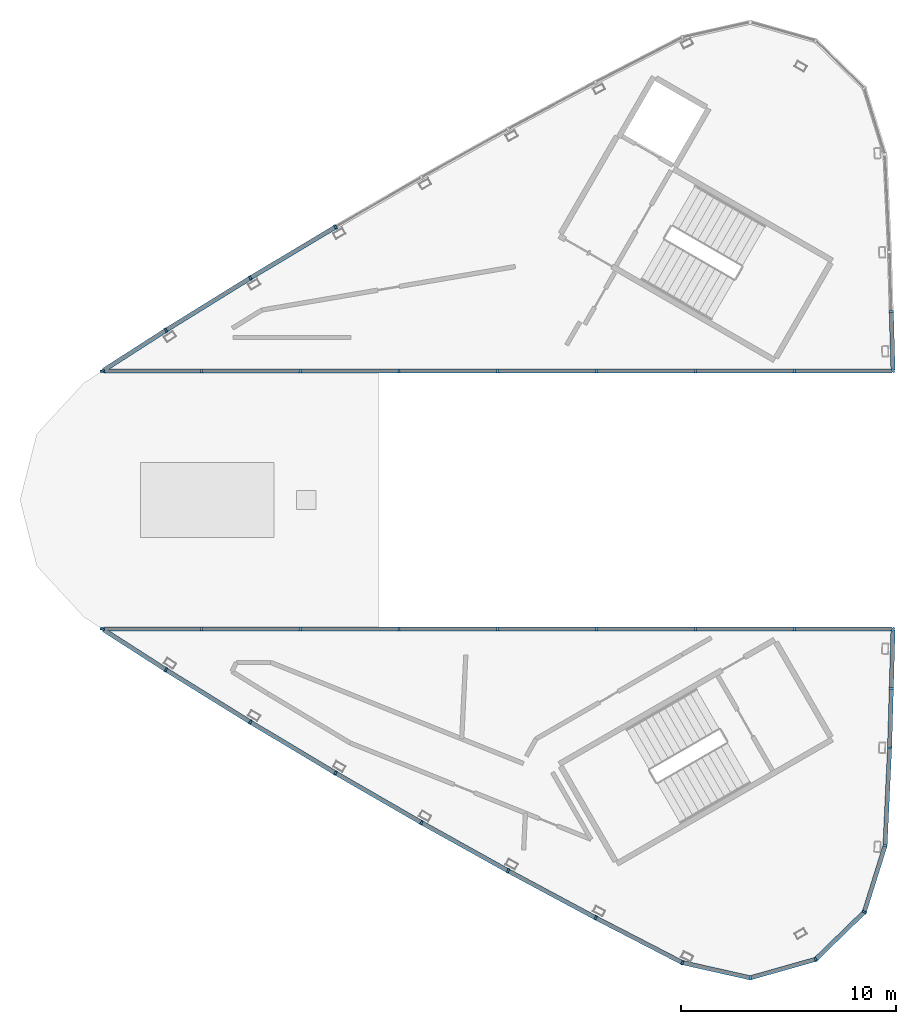
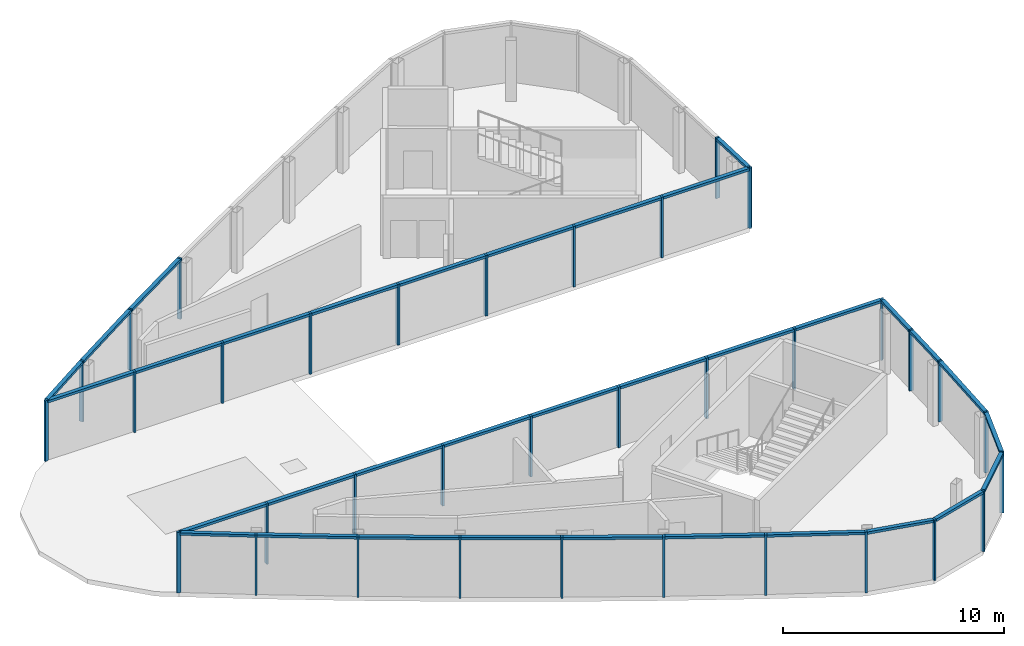
# One storey, part 2 of 6: 59 members, 2 elements without a shape of their own.
"""IFC4 building model written with IfcOpenShell, lengths in metres."""

from ifc_helpers import new_model, si_unit, direction, frame, origin, origin_2d, place, context, subcontext, project, spatial, rectangle, extrude, material, material_profile, profile_set, type_object, element, aggregate, save


model = new_model("IFC4")

# Units and contexts
model_context = context("Model", 3, precision=1e-05, world=origin(), true_north=direction((0.0, 1.0)))
body_context = subcontext(model_context, "Body", "Model", "MODEL_VIEW")
ifc_project = project(units=[si_unit("LENGTHUNIT", "METRE"), si_unit("AREAUNIT", "SQUARE_METRE"), si_unit("VOLUMEUNIT", "CUBIC_METRE"), si_unit("PLANEANGLEUNIT", "RADIAN"), si_unit("MASSUNIT", "GRAM", prefix="KILO")], contexts=[model_context])

# Site, building, storey
site_placement = place(None, origin())
site = spatial("IfcSite", under=ifc_project, at=site_placement, CompositionType="ELEMENT")
building_placement = place(site_placement, origin())
building = spatial("IfcBuilding", under=site, at=building_placement, Name="Tamra Quay Hotel Tower", CompositionType="ELEMENT")
storey_placement = place(building_placement, frame((0.0, 0.0, 331.39990234375)))
storey = spatial("IfcBuildingStorey", under=building, at=storey_placement, Name="Roof crown 4", CompositionType="ELEMENT", Elevation=331.39990234375)

# Curtain wall, members
ifc_material = material(Name="Aluminium 6063 anodised dark grey", Category="aluminium")
curtain_wall_type = type_object("IfcCurtainWallType", Name="CW6 CURTAIN WALL", PredefinedType="NOTDEFINED", material=ifc_material)
curtain_wall_1_placement = place(storey_placement, origin())
curtain_wall_1 = element("IfcCurtainWall", 1, at=curtain_wall_1_placement, inside=storey, type_object=curtain_wall_type, Name="CW6 lantern A face Roof crown 4", PredefinedType="NOTDEFINED")
ifc_material_profile_1 = material_profile(ifc_material, rectangle(XDim=0.199951171875, YDim=0.10009765625, at=origin_2d()), Name="MULLION 100X200")
ifc_profile_set_1 = profile_set([ifc_material_profile_1], Name="Aluminium 6063 anodised dark grey")
member_type_1 = type_object("IfcMemberType", Name="MULLION CW6", PredefinedType="MULLION", material=ifc_profile_set_1)
member_1_placement = place(storey_placement, frame((-9.989501953125, 12.689453125, 0.0), z_axis=(0.0, 0.0, 1.0), x_axis=(-0.506753731218, 0.862090862901, 0.0)))
member_1 = element("IfcMember", 2, at=member_1_placement, type_object=member_type_1, Name="CW6 mullion Roof crown 4.A.10", PredefinedType="MULLION", context=body_context, shape_type="SweptSolid", body=[
    extrude(rectangle(XDim=0.199951171875, YDim=0.10009765625, at=origin_2d()), origin(), (0.0, 0.0, 1.0), 3.35009765625),
])
member_2_placement = place(storey_placement, frame((-13.947509765625, 10.321044921875, 0.0), z_axis=(0.0, 0.0, 1.0), x_axis=(-0.520160185397, 0.854068721783, 0.0)))
member_2 = element("IfcMember", 3, at=member_2_placement, type_object=member_type_1, Name="CW6 mullion Roof crown 4.A.11", PredefinedType="MULLION", context=body_context, shape_type="SweptSolid", body=[
    extrude(rectangle(XDim=0.199951171875, YDim=0.10009765625, at=origin_2d()), origin(), (0.0, 0.0, 1.0), 3.35009765625),
])
member_3_placement = place(storey_placement, frame((-17.867919921875, 7.89111328125, 0.0), z_axis=(0.0, 0.0, 1.0), x_axis=(-0.533422330848, 0.845849050926, 0.0)))
member_3 = element("IfcMember", 4, at=member_3_placement, type_object=member_type_1, Name="CW6 mullion Roof crown 4.A.12", PredefinedType="MULLION", context=body_context, shape_type="SweptSolid", body=[
    extrude(rectangle(XDim=0.199951171875, YDim=0.10009765625, at=origin_2d()), origin(), (0.0, 0.0, 1.0), 3.35009765625),
])
member_4_placement = place(storey_placement, frame((-20.815673828125, 6.0, 0.0), z_axis=(0.0, 0.0, 1.0), x_axis=(-0.959600167912, -0.281367229333, 0.0)))
member_4 = element("IfcMember", 5, at=member_4_placement, type_object=member_type_1, Name="CW6 mullion Roof crown 4.A.13", PredefinedType="MULLION", context=body_context, shape_type="SweptSolid", body=[
    extrude(rectangle(XDim=0.199951171875, YDim=0.10009765625, at=origin_2d()), origin(), (0.0, 0.0, 1.0), 3.35009765625),
])
member_5_placement = place(storey_placement, frame((-16.222900390625, 6.0, 0.0), z_axis=(0.0, 0.0, 1.0), x_axis=(0.0, -1.0, 0.0)))
member_5 = element("IfcMember", 6, at=member_5_placement, type_object=member_type_1, Name="CW6 mullion Roof crown 4.A.14", PredefinedType="MULLION", context=body_context, shape_type="SweptSolid", body=[
    extrude(rectangle(XDim=0.199951171875, YDim=0.10009765625, at=origin_2d()), origin(), (0.0, 0.0, 1.0), 3.35009765625),
])
member_6_placement = place(storey_placement, frame((-11.630126953125, 6.0, 0.0), z_axis=(0.0, 0.0, 1.0), x_axis=(0.0, -1.0, 0.0)))
member_6 = element("IfcMember", 7, at=member_6_placement, type_object=member_type_1, Name="CW6 mullion Roof crown 4.A.15", PredefinedType="MULLION", context=body_context, shape_type="SweptSolid", body=[
    extrude(rectangle(XDim=0.199951171875, YDim=0.10009765625, at=origin_2d()), origin(), (0.0, 0.0, 1.0), 3.35009765625),
])
member_7_placement = place(storey_placement, frame((-7.037353515625, 6.0, 0.0), z_axis=(0.0, 0.0, 1.0), x_axis=(0.0, -1.0, 0.0)))
member_7 = element("IfcMember", 8, at=member_7_placement, type_object=member_type_1, Name="CW6 mullion Roof crown 4.A.16", PredefinedType="MULLION", context=body_context, shape_type="SweptSolid", body=[
    extrude(rectangle(XDim=0.199951171875, YDim=0.10009765625, at=origin_2d()), origin(), (0.0, 0.0, 1.0), 3.35009765625),
])
member_8_placement = place(storey_placement, frame((-2.444580078125, 6.0, 0.0), z_axis=(0.0, 0.0, 1.0), x_axis=(0.0, -1.0, 0.0)))
member_8 = element("IfcMember", 9, at=member_8_placement, type_object=member_type_1, Name="CW6 mullion Roof crown 4.A.17", PredefinedType="MULLION", context=body_context, shape_type="SweptSolid", body=[
    extrude(rectangle(XDim=0.199951171875, YDim=0.10009765625, at=origin_2d()), origin(), (0.0, 0.0, 1.0), 3.35009765625),
])
member_9_placement = place(storey_placement, frame((2.148193359375, 6.0, 0.0), z_axis=(0.0, 0.0, 1.0), x_axis=(0.0, -1.0, 0.0)))
member_9 = element("IfcMember", 10, at=member_9_placement, type_object=member_type_1, Name="CW6 mullion Roof crown 4.A.18", PredefinedType="MULLION", context=body_context, shape_type="SweptSolid", body=[
    extrude(rectangle(XDim=0.199951171875, YDim=0.10009765625, at=origin_2d()), origin(), (0.0, 0.0, 1.0), 3.35009765625),
])
member_10_placement = place(storey_placement, frame((6.740966796875, 6.0, 0.0), z_axis=(0.0, 0.0, 1.0), x_axis=(0.0, -1.0, 0.0)))
member_10 = element("IfcMember", 11, at=member_10_placement, type_object=member_type_1, Name="CW6 mullion Roof crown 4.A.19", PredefinedType="MULLION", context=body_context, shape_type="SweptSolid", body=[
    extrude(rectangle(XDim=0.199951171875, YDim=0.10009765625, at=origin_2d()), origin(), (0.0, 0.0, 1.0), 3.35009765625),
])
member_11_placement = place(storey_placement, frame((11.333740234375, 6.0, 0.0), z_axis=(0.0, 0.0, 1.0), x_axis=(0.0, -1.0, 0.0)))
member_11 = element("IfcMember", 12, at=member_11_placement, type_object=member_type_1, Name="CW6 mullion Roof crown 4.A.20", PredefinedType="MULLION", context=body_context, shape_type="SweptSolid", body=[
    extrude(rectangle(XDim=0.199951171875, YDim=0.10009765625, at=origin_2d()), origin(), (0.0, 0.0, 1.0), 3.35009765625),
])
member_12_placement = place(storey_placement, frame((15.92626953125, 6.0, 0.0), z_axis=(0.0, 0.0, 1.0), x_axis=(0.717164497017, -0.696903927538, 0.0)))
member_12 = element("IfcMember", 13, at=member_12_placement, type_object=member_type_1, Name="CW6 mullion Roof crown 4.A.21", PredefinedType="MULLION", context=body_context, shape_type="SweptSolid", body=[
    extrude(rectangle(XDim=0.199951171875, YDim=0.10009765625, at=origin_2d()), origin(), (0.0, 0.0, 1.0), 3.35009765625),
])
member_13_placement = place(storey_placement, frame((15.84716796875, 8.76416015625, 0.0), z_axis=(0.0, 0.0, 1.0), x_axis=(0.999589509324, 0.028649831581, 0.0)))
member_13 = element("IfcMember", 14, at=member_13_placement, type_object=member_type_1, Name="CW6 mullion Roof crown 4.A.22", PredefinedType="MULLION", context=body_context, shape_type="SweptSolid", body=[
    extrude(rectangle(XDim=0.199951171875, YDim=0.10009765625, at=origin_2d()), origin(), (0.0, 0.0, 1.0), 3.35009765625),
])

curtain_wall_2_placement = place(storey_placement, origin())
curtain_wall_2 = element("IfcCurtainWall", 15, at=curtain_wall_2_placement, inside=storey, type_object=curtain_wall_type, Name="CW6 lantern B face Roof crown 4", PredefinedType="NOTDEFINED")
member_14_placement = place(storey_placement, frame((15.92626953125, -6.0, 0.0), z_axis=(0.0, 0.0, 1.0), x_axis=(0.717164497017, 0.696903927538, 0.0)))
member_14 = element("IfcMember", 16, at=member_14_placement, type_object=member_type_1, Name="CW6 mullion Roof crown 4.B.1", PredefinedType="MULLION", context=body_context, shape_type="SweptSolid", body=[
    extrude(rectangle(XDim=0.199951171875, YDim=0.10009765625, at=origin_2d()), origin(), (0.0, 0.0, 1.0), 3.35009765625),
])
member_15_placement = place(storey_placement, frame((11.333740234375, -6.0, 0.0), z_axis=(0.0, 0.0, 1.0), x_axis=(0.0, 1.0, 0.0)))
member_15 = element("IfcMember", 17, at=member_15_placement, type_object=member_type_1, Name="CW6 mullion Roof crown 4.B.2", PredefinedType="MULLION", context=body_context, shape_type="SweptSolid", body=[
    extrude(rectangle(XDim=0.199951171875, YDim=0.10009765625, at=origin_2d()), origin(), (0.0, 0.0, 1.0), 3.35009765625),
])
member_16_placement = place(storey_placement, frame((6.740966796875, -6.0, 0.0), z_axis=(0.0, 0.0, 1.0), x_axis=(0.0, 1.0, 0.0)))
member_16 = element("IfcMember", 18, at=member_16_placement, type_object=member_type_1, Name="CW6 mullion Roof crown 4.B.3", PredefinedType="MULLION", context=body_context, shape_type="SweptSolid", body=[
    extrude(rectangle(XDim=0.199951171875, YDim=0.10009765625, at=origin_2d()), origin(), (0.0, 0.0, 1.0), 3.35009765625),
])
member_17_placement = place(storey_placement, frame((2.148193359375, -6.0, 0.0), z_axis=(0.0, 0.0, 1.0), x_axis=(0.0, 1.0, 0.0)))
member_17 = element("IfcMember", 19, at=member_17_placement, type_object=member_type_1, Name="CW6 mullion Roof crown 4.B.4", PredefinedType="MULLION", context=body_context, shape_type="SweptSolid", body=[
    extrude(rectangle(XDim=0.199951171875, YDim=0.10009765625, at=origin_2d()), origin(), (0.0, 0.0, 1.0), 3.35009765625),
])
member_18_placement = place(storey_placement, frame((-2.444580078125, -6.0, 0.0), z_axis=(0.0, 0.0, 1.0), x_axis=(0.0, 1.0, 0.0)))
member_18 = element("IfcMember", 20, at=member_18_placement, type_object=member_type_1, Name="CW6 mullion Roof crown 4.B.5", PredefinedType="MULLION", context=body_context, shape_type="SweptSolid", body=[
    extrude(rectangle(XDim=0.199951171875, YDim=0.10009765625, at=origin_2d()), origin(), (0.0, 0.0, 1.0), 3.35009765625),
])
member_19_placement = place(storey_placement, frame((-7.037353515625, -6.0, 0.0), z_axis=(0.0, 0.0, 1.0), x_axis=(0.0, 1.0, 0.0)))
member_19 = element("IfcMember", 21, at=member_19_placement, type_object=member_type_1, Name="CW6 mullion Roof crown 4.B.6", PredefinedType="MULLION", context=body_context, shape_type="SweptSolid", body=[
    extrude(rectangle(XDim=0.199951171875, YDim=0.10009765625, at=origin_2d()), origin(), (0.0, 0.0, 1.0), 3.35009765625),
])
member_20_placement = place(storey_placement, frame((-11.630126953125, -6.0, 0.0), z_axis=(0.0, 0.0, 1.0), x_axis=(0.0, 1.0, 0.0)))
member_20 = element("IfcMember", 22, at=member_20_placement, type_object=member_type_1, Name="CW6 mullion Roof crown 4.B.7", PredefinedType="MULLION", context=body_context, shape_type="SweptSolid", body=[
    extrude(rectangle(XDim=0.199951171875, YDim=0.10009765625, at=origin_2d()), origin(), (0.0, 0.0, 1.0), 3.35009765625),
])
member_21_placement = place(storey_placement, frame((-16.222900390625, -6.0, 0.0), z_axis=(0.0, 0.0, 1.0), x_axis=(0.0, 1.0, 0.0)))
member_21 = element("IfcMember", 23, at=member_21_placement, type_object=member_type_1, Name="CW6 mullion Roof crown 4.B.8", PredefinedType="MULLION", context=body_context, shape_type="SweptSolid", body=[
    extrude(rectangle(XDim=0.199951171875, YDim=0.10009765625, at=origin_2d()), origin(), (0.0, 0.0, 1.0), 3.35009765625),
])
member_22_placement = place(storey_placement, frame((-20.815673828125, -6.0, 0.0), z_axis=(0.0, 0.0, 1.0), x_axis=(-0.959600167912, 0.281367229333, 0.0)))
member_22 = element("IfcMember", 24, at=member_22_placement, type_object=member_type_1, Name="CW6 mullion Roof crown 4.B.9", PredefinedType="MULLION", context=body_context, shape_type="SweptSolid", body=[
    extrude(rectangle(XDim=0.199951171875, YDim=0.10009765625, at=origin_2d()), origin(), (0.0, 0.0, 1.0), 3.35009765625),
])
member_23_placement = place(storey_placement, frame((-17.867919921875, -7.89111328125, 0.0), z_axis=(0.0, 0.0, 1.0), x_axis=(-0.533422330848, -0.845849050926, 0.0)))
member_23 = element("IfcMember", 25, at=member_23_placement, type_object=member_type_1, Name="CW6 mullion Roof crown 4.B.10", PredefinedType="MULLION", context=body_context, shape_type="SweptSolid", body=[
    extrude(rectangle(XDim=0.199951171875, YDim=0.10009765625, at=origin_2d()), origin(), (0.0, 0.0, 1.0), 3.35009765625),
])
member_24_placement = place(storey_placement, frame((-13.947509765625, -10.321044921875, 0.0), z_axis=(0.0, 0.0, 1.0), x_axis=(-0.520160185397, -0.854068721783, 0.0)))
member_24 = element("IfcMember", 26, at=member_24_placement, type_object=member_type_1, Name="CW6 mullion Roof crown 4.B.11", PredefinedType="MULLION", context=body_context, shape_type="SweptSolid", body=[
    extrude(rectangle(XDim=0.199951171875, YDim=0.10009765625, at=origin_2d()), origin(), (0.0, 0.0, 1.0), 3.35009765625),
])
member_25_placement = place(storey_placement, frame((-9.989501953125, -12.689453125, 0.0), z_axis=(0.0, 0.0, 1.0), x_axis=(-0.506753731218, -0.862090862901, 0.0)))
member_25 = element("IfcMember", 27, at=member_25_placement, type_object=member_type_1, Name="CW6 mullion Roof crown 4.B.12", PredefinedType="MULLION", context=body_context, shape_type="SweptSolid", body=[
    extrude(rectangle(XDim=0.199951171875, YDim=0.10009765625, at=origin_2d()), origin(), (0.0, 0.0, 1.0), 3.35009765625),
])
member_26_placement = place(storey_placement, frame((-5.99462890625, -14.995849609375, 0.0), z_axis=(0.0, 0.0, 1.0), x_axis=(-0.493215722033, -0.869907036148, 0.0)))
member_26 = element("IfcMember", 28, at=member_26_placement, type_object=member_type_1, Name="CW6 mullion Roof crown 4.B.13", PredefinedType="MULLION", context=body_context, shape_type="SweptSolid", body=[
    extrude(rectangle(XDim=0.199951171875, YDim=0.10009765625, at=origin_2d()), origin(), (0.0, 0.0, 1.0), 3.35009765625),
])
member_27_placement = place(storey_placement, frame((-1.96435546875, -17.239501953125, 0.0), z_axis=(0.0, 0.0, 1.0), x_axis=(-0.479565116943, -0.877506295483, 0.0)))
member_27 = element("IfcMember", 29, at=member_27_placement, type_object=member_type_1, Name="CW6 mullion Roof crown 4.B.14", PredefinedType="MULLION", context=body_context, shape_type="SweptSolid", body=[
    extrude(rectangle(XDim=0.199951171875, YDim=0.10009765625, at=origin_2d()), origin(), (0.0, 0.0, 1.0), 3.35009765625),
])
member_28_placement = place(storey_placement, frame((2.10009765625, -19.419677734375, 0.0), z_axis=(0.0, 0.0, 1.0), x_axis=(-0.465815600445, -0.884881814923, 0.0)))
member_28 = element("IfcMember", 30, at=member_28_placement, type_object=member_type_1, Name="CW6 mullion Roof crown 4.B.15", PredefinedType="MULLION", context=body_context, shape_type="SweptSolid", body=[
    extrude(rectangle(XDim=0.199951171875, YDim=0.10009765625, at=origin_2d()), origin(), (0.0, 0.0, 1.0), 3.35009765625),
])
member_29_placement = place(storey_placement, frame((6.134033203125, -21.503173828125, 0.0), z_axis=(0.0, 0.0, 1.0), x_axis=(-0.341653426177, -0.939826013888, 0.0)))
member_29 = element("IfcMember", 31, at=member_29_placement, type_object=member_type_1, Name="CW6 mullion Roof crown 4.B.16", PredefinedType="MULLION", context=body_context, shape_type="SweptSolid", body=[
    extrude(rectangle(XDim=0.199951171875, YDim=0.10009765625, at=origin_2d()), origin(), (0.0, 0.0, 1.0), 3.35009765625),
])
member_30_placement = place(storey_placement, frame((9.288330078125, -22.21044921875, 0.0), z_axis=(0.0, 0.0, 1.0), x_axis=(0.027468865497, -0.999622659521, 0.0)))
member_30 = element("IfcMember", 32, at=member_30_placement, type_object=member_type_1, Name="CW6 mullion Roof crown 4.B.17", PredefinedType="MULLION", context=body_context, shape_type="SweptSolid", body=[
    extrude(rectangle(XDim=0.199951171875, YDim=0.10009765625, at=origin_2d()), origin(), (0.0, 0.0, 1.0), 3.35009765625),
])
member_31_placement = place(storey_placement, frame((12.3271484375, -21.351318359375, 0.0), z_axis=(0.0, 0.0, 1.0), x_axis=(0.5, -0.866025403784, 0.0)))
member_31 = element("IfcMember", 33, at=member_31_placement, type_object=member_type_1, Name="CW6 mullion Roof crown 4.B.18", PredefinedType="MULLION", context=body_context, shape_type="SweptSolid", body=[
    extrude(rectangle(XDim=0.199951171875, YDim=0.10009765625, at=origin_2d()), origin(), (0.0, 0.0, 1.0), 3.35009765625),
])
member_32_placement = place(storey_placement, frame((14.5908203125, -19.149169921875, 0.0), z_axis=(0.0, 0.0, 1.0), x_axis=(0.851964184595, -0.523600065094, 0.0)))
member_32 = element("IfcMember", 34, at=member_32_placement, type_object=member_type_1, Name="CW6 mullion Roof crown 4.B.19", PredefinedType="MULLION", context=body_context, shape_type="SweptSolid", body=[
    extrude(rectangle(XDim=0.199951171875, YDim=0.10009765625, at=origin_2d()), origin(), (0.0, 0.0, 1.0), 3.35009765625),
])
member_33_placement = place(storey_placement, frame((15.555419921875, -16.063720703125, 0.0), z_axis=(0.0, 0.0, 1.0), x_axis=(0.984739916253, -0.174032460585, 0.0)))
member_33 = element("IfcMember", 35, at=member_33_placement, type_object=member_type_1, Name="CW6 mullion Roof crown 4.B.20", PredefinedType="MULLION", context=body_context, shape_type="SweptSolid", body=[
    extrude(rectangle(XDim=0.199951171875, YDim=0.10009765625, at=origin_2d()), origin(), (0.0, 0.0, 1.0), 3.35009765625),
])
member_34_placement = place(storey_placement, frame((15.767822265625, -11.528564453125, 0.0), z_axis=(0.0, 0.0, 1.0), x_axis=(0.999287700876, -0.037737128642, 0.0)))
member_34 = element("IfcMember", 36, at=member_34_placement, type_object=member_type_1, Name="CW6 mullion Roof crown 4.B.21", PredefinedType="MULLION", context=body_context, shape_type="SweptSolid", body=[
    extrude(rectangle(XDim=0.199951171875, YDim=0.10009765625, at=origin_2d()), origin(), (0.0, 0.0, 1.0), 3.35009765625),
])
member_35_placement = place(storey_placement, frame((15.84716796875, -8.76416015625, 0.0), z_axis=(0.0, 0.0, 1.0), x_axis=(0.999589509324, -0.028649831581, 0.0)))
member_35 = element("IfcMember", 37, at=member_35_placement, type_object=member_type_1, Name="CW6 mullion Roof crown 4.B.22", PredefinedType="MULLION", context=body_context, shape_type="SweptSolid", body=[
    extrude(rectangle(XDim=0.199951171875, YDim=0.10009765625, at=origin_2d()), origin(), (0.0, 0.0, 1.0), 3.35009765625),
])

# Member
ifc_material_profile_2 = material_profile(ifc_material, rectangle(XDim=0.199951171875, YDim=0.139892578125, at=origin_2d()), Name="TRANSOM 200X140")
ifc_profile_set_2 = profile_set([ifc_material_profile_2], Name="Aluminium 6063 anodised dark grey")
member_type_2 = type_object("IfcMemberType", Name="TRANSOM CW6", PredefinedType="USERDEFINED", material=ifc_profile_set_2)
member_36_placement = place(storey_placement, frame((-10.0322265625, 12.663818359375, 3.280029296875), z_axis=(-0.858103349305, -0.513477012058, 0.0), x_axis=(0.513477012058, -0.858103349305, 0.0)))
member_36 = element("IfcMember", 38, at=member_36_placement, type_object=member_type_2, Name="CW6 transom Roof crown 4.A.10", ObjectType="TRANSOM", PredefinedType="USERDEFINED", context=body_context, shape_type="SweptSolid", body=[
    extrude(rectangle(XDim=0.199951171875, YDim=0.139892578125, at=origin_2d()), origin(), (0.0, 0.0, 1.0), 4.5126953125),
])

member_37_placement = place(storey_placement, frame((-13.989990234375, 10.294677734375, 3.280029296875), z_axis=(-0.849980220175, -0.526814602409, 0.0), x_axis=(0.526814602409, -0.849980220175, 0.0)))
member_37 = element("IfcMember", 39, at=member_37_placement, type_object=member_type_2, Name="CW6 transom Roof crown 4.A.11", ObjectType="TRANSOM", PredefinedType="USERDEFINED", context=body_context, shape_type="SweptSolid", body=[
    extrude(rectangle(XDim=0.199951171875, YDim=0.139892578125, at=origin_2d()), origin(), (0.0, 0.0, 1.0), 4.512451171875),
])

member_38_placement = place(storey_placement, frame((-17.909912109375, 7.8642578125, 3.280029296875), z_axis=(-0.841670083092, -0.53999210293, 0.0), x_axis=(0.53999210293, -0.841670083092, 0.0)))
member_38 = element("IfcMember", 40, at=member_38_placement, type_object=member_type_2, Name="CW6 transom Roof crown 4.A.12", ObjectType="TRANSOM", PredefinedType="USERDEFINED", context=body_context, shape_type="SweptSolid", body=[
    extrude(rectangle(XDim=0.199951171875, YDim=0.139892578125, at=origin_2d()), origin(), (0.0, 0.0, 1.0), 3.402099609375),
])

member_39_placement = place(storey_placement, frame((-20.765625, 6.0, 3.280029296875), z_axis=(1.0, 0.0, 0.0), x_axis=(0.0, 1.0, 0.0)))
member_39 = element("IfcMember", 41, at=member_39_placement, type_object=member_type_2, Name="CW6 transom Roof crown 4.A.13", ObjectType="TRANSOM", PredefinedType="USERDEFINED", context=body_context, shape_type="SweptSolid", body=[
    extrude(rectangle(XDim=0.199951171875, YDim=0.139892578125, at=origin_2d()), origin(), (0.0, 0.0, 1.0), 13.67822265625),
])

member_40_placement = place(storey_placement, frame((-6.9873046875, 6.0, 3.280029296875), z_axis=(1.0, 0.0, 0.0), x_axis=(0.0, 1.0, 0.0)))
member_40 = element("IfcMember", 42, at=member_40_placement, type_object=member_type_2, Name="CW6 transom Roof crown 4.A.16", ObjectType="TRANSOM", PredefinedType="USERDEFINED", context=body_context, shape_type="SweptSolid", body=[
    extrude(rectangle(XDim=0.199951171875, YDim=0.139892578125, at=origin_2d()), origin(), (0.0, 0.0, 1.0), 13.67822265625),
])

member_41_placement = place(storey_placement, frame((6.790771484375, 6.0, 3.280029296875), z_axis=(1.0, 0.0, 0.0), x_axis=(0.0, 1.0, 0.0)))
member_41 = element("IfcMember", 43, at=member_41_placement, type_object=member_type_2, Name="CW6 transom Roof crown 4.A.19", ObjectType="TRANSOM", PredefinedType="USERDEFINED", context=body_context, shape_type="SweptSolid", body=[
    extrude(rectangle(XDim=0.199951171875, YDim=0.139892578125, at=origin_2d()), origin(), (0.0, 0.0, 1.0), 9.085693359375),
])

member_42_placement = place(storey_placement, frame((15.925048828125, 6.050048828125, 3.280029296875), z_axis=(-0.02866959947, 0.999588942549, 0.0), x_axis=(-0.999588942549, -0.02866959947, 0.0)))
member_42 = element("IfcMember", 44, at=member_42_placement, type_object=member_type_2, Name="CW6 transom Roof crown 4.A.21", ObjectType="TRANSOM", PredefinedType="USERDEFINED", context=body_context, shape_type="SweptSolid", body=[
    extrude(rectangle(XDim=0.199951171875, YDim=0.139892578125, at=origin_2d()), origin(), (0.0, 0.0, 1.0), 2.665283203125),
])

aggregate(curtain_wall_1, [member_1, member_36, member_2, member_37, member_3, member_38, member_4, member_39, member_5, member_6, member_7, member_40, member_8, member_9, member_10, member_41, member_11, member_12, member_42, member_13])

member_43_placement = place(storey_placement, frame((15.87646484375, -6.0, 3.280029296875), z_axis=(-1.0, 0.0, 0.0), x_axis=(0.0, -1.0, 0.0)))
member_43 = element("IfcMember", 45, at=member_43_placement, type_object=member_type_2, Name="CW6 transom Roof crown 4.B.1", ObjectType="TRANSOM", PredefinedType="USERDEFINED", context=body_context, shape_type="SweptSolid", body=[
    extrude(rectangle(XDim=0.199951171875, YDim=0.139892578125, at=origin_2d()), origin(), (0.0, 0.0, 1.0), 13.67822265625),
])

member_44_placement = place(storey_placement, frame((2.09814453125, -6.0, 3.280029296875), z_axis=(-1.0, 0.0, 0.0), x_axis=(0.0, -1.0, 0.0)))
member_44 = element("IfcMember", 46, at=member_44_placement, type_object=member_type_2, Name="CW6 transom Roof crown 4.B.4", ObjectType="TRANSOM", PredefinedType="USERDEFINED", context=body_context, shape_type="SweptSolid", body=[
    extrude(rectangle(XDim=0.199951171875, YDim=0.139892578125, at=origin_2d()), origin(), (0.0, 0.0, 1.0), 13.67822265625),
])

member_45_placement = place(storey_placement, frame((-11.68017578125, -6.0, 3.280029296875), z_axis=(-1.0, 0.0, 0.0), x_axis=(0.0, -1.0, 0.0)))
member_45 = element("IfcMember", 47, at=member_45_placement, type_object=member_type_2, Name="CW6 transom Roof crown 4.B.7", ObjectType="TRANSOM", PredefinedType="USERDEFINED", context=body_context, shape_type="SweptSolid", body=[
    extrude(rectangle(XDim=0.199951171875, YDim=0.139892578125, at=origin_2d()), origin(), (0.0, 0.0, 1.0), 9.08544921875),
])

member_46_placement = place(storey_placement, frame((-20.7734375, -6.027099609375, 3.280029296875), z_axis=(0.841670083092, -0.53999210293, 0.0), x_axis=(0.53999210293, 0.841670083092, 0.0)))
member_46 = element("IfcMember", 48, at=member_46_placement, type_object=member_type_2, Name="CW6 transom Roof crown 4.B.9", ObjectType="TRANSOM", PredefinedType="USERDEFINED", context=body_context, shape_type="SweptSolid", body=[
    extrude(rectangle(XDim=0.199951171875, YDim=0.139892578125, at=origin_2d()), origin(), (0.0, 0.0, 1.0), 3.402099609375),
])

member_47_placement = place(storey_placement, frame((-17.825439453125, -7.91748046875, 3.280029296875), z_axis=(0.849980220175, -0.526814602409, 0.0), x_axis=(0.526814602409, 0.849980220175, 0.0)))
member_47 = element("IfcMember", 49, at=member_47_placement, type_object=member_type_2, Name="CW6 transom Roof crown 4.B.10", ObjectType="TRANSOM", PredefinedType="USERDEFINED", context=body_context, shape_type="SweptSolid", body=[
    extrude(rectangle(XDim=0.199951171875, YDim=0.139892578125, at=origin_2d()), origin(), (0.0, 0.0, 1.0), 4.512451171875),
])

member_48_placement = place(storey_placement, frame((-13.904541015625, -10.3466796875, 3.280029296875), z_axis=(0.858103349305, -0.513477012058, 0.0), x_axis=(0.513477012058, 0.858103349305, 0.0)))
member_48 = element("IfcMember", 50, at=member_48_placement, type_object=member_type_2, Name="CW6 transom Roof crown 4.B.11", ObjectType="TRANSOM", PredefinedType="USERDEFINED", context=body_context, shape_type="SweptSolid", body=[
    extrude(rectangle(XDim=0.199951171875, YDim=0.139892578125, at=origin_2d()), origin(), (0.0, 0.0, 1.0), 4.5126953125),
])

member_49_placement = place(storey_placement, frame((-9.946044921875, -12.71435546875, 3.280029296875), z_axis=(0.86601710485, -0.5000143739, 0.0), x_axis=(0.5000143739, 0.86601710485, 0.0)))
member_49 = element("IfcMember", 51, at=member_49_placement, type_object=member_type_2, Name="CW6 transom Roof crown 4.B.12", ObjectType="TRANSOM", PredefinedType="USERDEFINED", context=body_context, shape_type="SweptSolid", body=[
    extrude(rectangle(XDim=0.199951171875, YDim=0.139892578125, at=origin_2d()), origin(), (0.0, 0.0, 1.0), 4.512451171875),
])

member_50_placement = place(storey_placement, frame((-5.950927734375, -15.02001953125, 3.280029296875), z_axis=(0.8737256573, -0.486419033114, 0.0), x_axis=(0.486419033114, 0.8737256573, 0.0)))
member_50 = element("IfcMember", 52, at=member_50_placement, type_object=member_type_2, Name="CW6 transom Roof crown 4.B.13", ObjectType="TRANSOM", PredefinedType="USERDEFINED", context=body_context, shape_type="SweptSolid", body=[
    extrude(rectangle(XDim=0.199951171875, YDim=0.139892578125, at=origin_2d()), origin(), (0.0, 0.0, 1.0), 4.5126953125),
])

member_51_placement = place(storey_placement, frame((-1.92041015625, -17.262939453125, 3.280029296875), z_axis=(0.881213593075, -0.47271831293, 0.0), x_axis=(0.47271831293, 0.881213593075, 0.0)))
member_51 = element("IfcMember", 53, at=member_51_placement, type_object=member_type_2, Name="CW6 transom Roof crown 4.B.14", ObjectType="TRANSOM", PredefinedType="USERDEFINED", context=body_context, shape_type="SweptSolid", body=[
    extrude(rectangle(XDim=0.199951171875, YDim=0.139892578125, at=origin_2d()), origin(), (0.0, 0.0, 1.0), 4.51220703125),
])

member_52_placement = place(storey_placement, frame((2.14453125, -19.442626953125, 3.280029296875), z_axis=(0.888489056093, -0.458897806928, 0.0), x_axis=(0.458897806928, 0.888489056093, 0.0)))
member_52 = element("IfcMember", 54, at=member_52_placement, type_object=member_type_2, Name="CW6 transom Roof crown 4.B.15", ObjectType="TRANSOM", PredefinedType="USERDEFINED", context=body_context, shape_type="SweptSolid", body=[
    extrude(rectangle(XDim=0.199951171875, YDim=0.139892578125, at=origin_2d()), origin(), (0.0, 0.0, 1.0), 4.440185546875),
])

member_53_placement = place(storey_placement, frame((6.182861328125, -21.51416015625, 3.280029296875), z_axis=(0.97575974355, -0.218844517563, 0.0), x_axis=(0.218844517563, 0.97575974355, 0.0)))
member_53 = element("IfcMember", 55, at=member_53_placement, type_object=member_type_2, Name="CW6 transom Roof crown 4.B.16", ObjectType="TRANSOM", PredefinedType="USERDEFINED", context=body_context, shape_type="SweptSolid", body=[
    extrude(rectangle(XDim=0.199951171875, YDim=0.139892578125, at=origin_2d()), origin(), (0.0, 0.0, 1.0), 3.132568359375),
])

member_54_placement = place(storey_placement, frame((9.33642578125, -22.197021484375, 3.280029296875), z_axis=(0.962273511824, 0.272083973143, 0.0), x_axis=(-0.272083973143, 0.962273511824, 0.0)))
member_54 = element("IfcMember", 56, at=member_54_placement, type_object=member_type_2, Name="CW6 transom Roof crown 4.B.17", ObjectType="TRANSOM", PredefinedType="USERDEFINED", context=body_context, shape_type="SweptSolid", body=[
    extrude(rectangle(XDim=0.199951171875, YDim=0.139892578125, at=origin_2d()), origin(), (0.0, 0.0, 1.0), 3.05810546875),
])

member_55_placement = place(storey_placement, frame((12.363037109375, -21.31640625, 3.280029296875), z_axis=(0.716779852689, 0.697299535909, 0.0), x_axis=(-0.697299535909, 0.716779852689, 0.0)))
member_55 = element("IfcMember", 57, at=member_55_placement, type_object=member_type_2, Name="CW6 transom Roof crown 4.B.18", ObjectType="TRANSOM", PredefinedType="USERDEFINED", context=body_context, shape_type="SweptSolid", body=[
    extrude(rectangle(XDim=0.199951171875, YDim=0.139892578125, at=origin_2d()), origin(), (0.0, 0.0, 1.0), 3.057861328125),
])

member_56_placement = place(storey_placement, frame((14.605712890625, -19.1015625, 3.280029296875), z_axis=(0.298403676177, 0.954439755063, 0.0), x_axis=(-0.954439755063, 0.298403676177, 0.0)))
member_56 = element("IfcMember", 58, at=member_56_placement, type_object=member_type_2, Name="CW6 transom Roof crown 4.B.19", ObjectType="TRANSOM", PredefinedType="USERDEFINED", context=body_context, shape_type="SweptSolid", body=[
    extrude(rectangle(XDim=0.199951171875, YDim=0.139892578125, at=origin_2d()), origin(), (0.0, 0.0, 1.0), 3.1328125),
])

member_57_placement = place(storey_placement, frame((15.5576171875, -16.013916015625, 3.280029296875), z_axis=(0.046844159112, 0.998902209807, 0.0), x_axis=(-0.998902209807, 0.046844159112, 0.0)))
member_57 = element("IfcMember", 59, at=member_57_placement, type_object=member_type_2, Name="CW6 transom Roof crown 4.B.20", ObjectType="TRANSOM", PredefinedType="USERDEFINED", context=body_context, shape_type="SweptSolid", body=[
    extrude(rectangle(XDim=0.199951171875, YDim=0.139892578125, at=origin_2d()), origin(), (0.0, 0.0, 1.0), 4.4404296875),
])

member_58_placement = place(storey_placement, frame((15.769287109375, -11.478515625, 3.280029296875), z_axis=(0.02866959947, 0.999588942549, 0.0), x_axis=(-0.999588942549, 0.02866959947, 0.0)))
member_58 = element("IfcMember", 60, at=member_58_placement, type_object=member_type_2, Name="CW6 transom Roof crown 4.B.21", ObjectType="TRANSOM", PredefinedType="USERDEFINED", context=body_context, shape_type="SweptSolid", body=[
    extrude(rectangle(XDim=0.199951171875, YDim=0.139892578125, at=origin_2d()), origin(), (0.0, 0.0, 1.0), 2.665283203125),
])

member_59_placement = place(storey_placement, frame((15.8486328125, -8.71435546875, 3.280029296875), z_axis=(0.02866959947, 0.999588942549, 0.0), x_axis=(-0.999588942549, 0.02866959947, 0.0)))
member_59 = element("IfcMember", 61, at=member_59_placement, type_object=member_type_2, Name="CW6 transom Roof crown 4.B.22", ObjectType="TRANSOM", PredefinedType="USERDEFINED", context=body_context, shape_type="SweptSolid", body=[
    extrude(rectangle(XDim=0.199951171875, YDim=0.139892578125, at=origin_2d()), origin(), (0.0, 0.0, 1.0), 2.665283203125),
])

aggregate(curtain_wall_2, [member_14, member_43, member_15, member_16, member_17, member_44, member_18, member_19, member_20, member_45, member_21, member_22, member_46, member_23, member_47, member_24, member_48, member_25, member_49, member_26, member_50, member_27, member_51, member_28, member_52, member_29, member_53, member_30, member_54, member_31, member_55, member_32, member_56, member_33, member_57, member_34, member_58, member_35, member_59])

save(model, "model.ifc")
